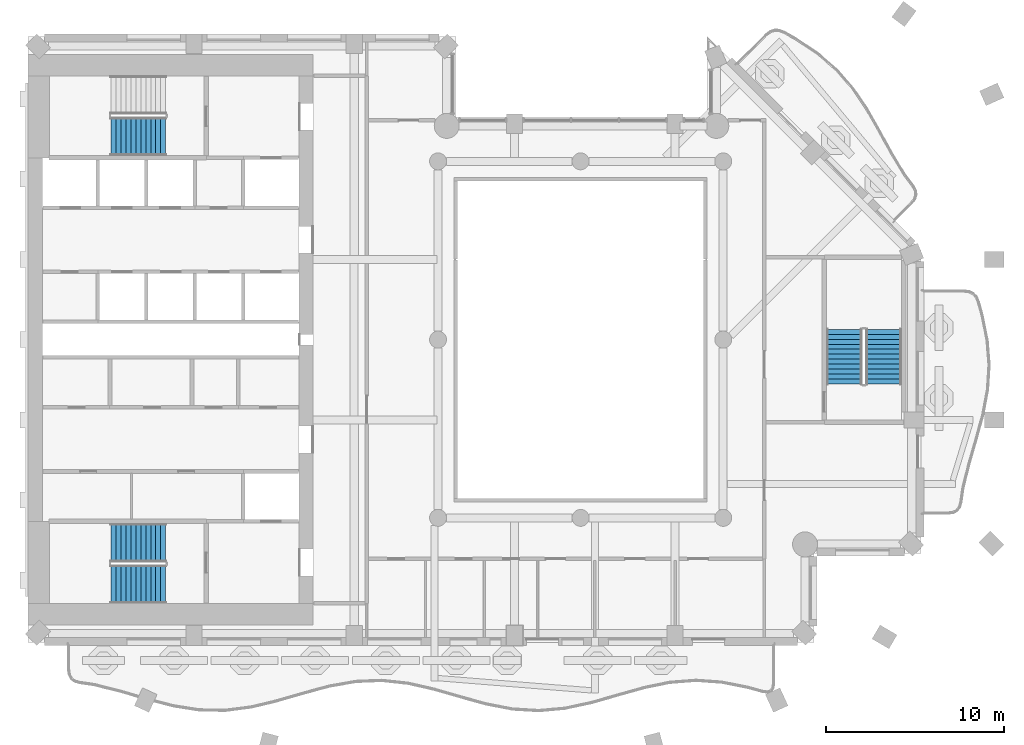
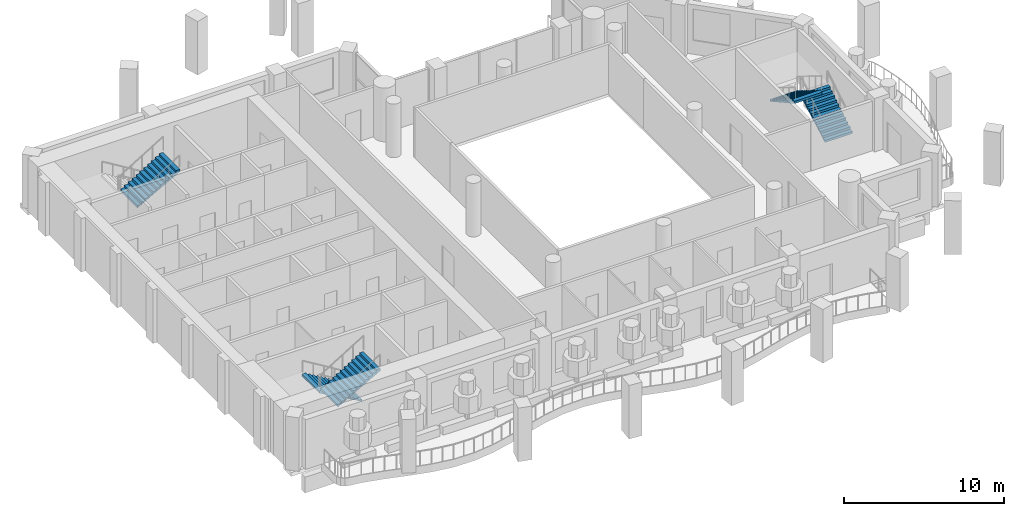
# One storey, part 8 of 15: 5 stair flights, 3 elements without a shape of their own.
"""IFC4 building model written with IfcOpenShell, lengths in metres."""

from ifc_helpers import new_model, si_unit, direction, frame, origin, place, context, subcontext, project, spatial, triangles, material, type_object, element, aggregate, save


model = new_model("IFC4")

# Units and contexts
model_context = context("Model", 3, precision=1e-05, world=origin(), true_north=direction((0.0, 1.0)))
body_context = subcontext(model_context, "Body", "Model", "MODEL_VIEW")
ifc_project = project(units=[si_unit("LENGTHUNIT", "METRE"), si_unit("AREAUNIT", "SQUARE_METRE"), si_unit("VOLUMEUNIT", "CUBIC_METRE"), si_unit("PLANEANGLEUNIT", "RADIAN"), si_unit("MASSUNIT", "GRAM", prefix="KILO")], contexts=[model_context])

# Site, building, storey
site_placement = place(None, origin())
site = spatial("IfcSite", under=ifc_project, at=site_placement, CompositionType="ELEMENT")
building_placement = place(site_placement, origin())
building = spatial("IfcBuilding", under=site, at=building_placement, Name="Cypress Arch Tower", CompositionType="ELEMENT")
storey_placement = place(building_placement, frame((0.0, 0.0, 234.300048828125)))
storey = spatial("IfcBuildingStorey", under=building, at=storey_placement, Name="L52", CompositionType="ELEMENT", Elevation=234.300048828125)

# Stair, stair flights
ifc_material_1 = material(Name="Concrete C40/50", Category="concrete")
stair_type_1 = type_object("IfcStairType", Name="Exit stair ES1708-200", PredefinedType="HALF_TURN_STAIR", material=ifc_material_1)
stair_1_placement = place(storey_placement, origin())
stair_1 = element("IfcStair", 1, at=stair_1_placement, inside=storey, type_object=stair_type_1, Name="L52 Exit stair C", PredefinedType="HALF_TURN_STAIR")
ifc_material_2 = material(Name="Concrete C40/50", Category="concrete")
stair_flight_type_1 = type_object("IfcStairFlightType", Name="Exit stair flight ES1708-200", PredefinedType="STRAIGHT", material=ifc_material_2)
stair_flight_1_placement = place(storey_placement, frame((18.0, -2.5, 0.0), z_axis=(0.0, 0.0, 1.0), x_axis=(0.0, 1.0, 0.0)))
stair_flight_1 = element("IfcStairFlight", 2, at=stair_flight_1_placement, type_object=stair_flight_type_1, Name="C flight 1", NumberOfRisers=12, NumberOfTreads=11, PredefinedType="STRAIGHT", RiserHeight=0.170833333, TreadLength=0.28, context=body_context, shape_type="Tessellation", body=[
    triangles([(0.0, -1.0, 0.0), (0.0, -1.0, 0.1708984375), (0.280029296875, -1.0, 0.1708984375), (0.280029296875, -1.0, 0.341552734375), (0.56005859375, -1.0, 0.341552734375), (0.56005859375, -1.0, 0.512451171875), (0.840087890625, -1.0, 0.512451171875), (0.840087890625, -1.0, 0.683349609375), (1.1201171875, -1.0, 0.683349609375), (1.1201171875, -1.0, 0.854248046875), (1.39990234375, -1.0, 0.854248046875), (1.39990234375, -1.0, 1.02490234375), (1.679931640625, -1.0, 1.02490234375), (1.679931640625, -1.0, 1.19580078125), (1.9599609375, -1.0, 1.19580078125), (1.9599609375, -1.0, 1.36669921875), (2.239990234375, -1.0, 1.36669921875), (2.239990234375, -1.0, 1.53759765625), (2.52001953125, -1.0, 1.53759765625), (2.52001953125, -1.0, 1.708251953125), (2.800048828125, -1.0, 1.708251953125), (2.800048828125, -1.0, 1.879150390625), (3.080078125, -1.0, 1.879150390625), (3.080078125, -1.0, 1.70361328125), (3.080078125, 1.0, 1.70361328125), (3.080078125, 1.0, 1.879150390625), (2.800048828125, 1.0, 1.879150390625), (2.800048828125, 1.0, 1.708251953125), (2.52001953125, 1.0, 1.708251953125), (2.52001953125, 1.0, 1.53759765625), (2.239990234375, 1.0, 1.53759765625), (2.239990234375, 1.0, 1.36669921875), (1.9599609375, 1.0, 1.36669921875), (1.9599609375, 1.0, 1.19580078125), (1.679931640625, 1.0, 1.19580078125), (1.679931640625, 1.0, 1.02490234375), (1.39990234375, 1.0, 1.02490234375), (1.39990234375, 1.0, 0.854248046875), (1.1201171875, 1.0, 0.854248046875), (1.1201171875, 1.0, 0.683349609375), (0.840087890625, 1.0, 0.683349609375), (0.840087890625, 1.0, 0.512451171875), (0.56005859375, 1.0, 0.512451171875), (0.56005859375, 1.0, 0.341552734375), (0.280029296875, 1.0, 0.341552734375), (0.280029296875, 1.0, 0.1708984375), (0.0, 1.0, 0.1708984375), (0.0, 1.0, 0.0), (3.080078125, 0.0, 1.879150390625), (3.080078125, 0.0, 1.70361328125), (2.800048828125, 0.0, 1.879150390625), (2.800048828125, 0.0, 1.708251953125), (2.52001953125, 0.0, 1.708251953125), (2.52001953125, 0.0, 1.53759765625), (2.239990234375, 0.0, 1.53759765625), (2.239990234375, 0.0, 1.36669921875), (1.9599609375, 0.0, 1.36669921875), (1.9599609375, 0.0, 1.19580078125), (1.679931640625, 0.0, 1.19580078125), (1.679931640625, 0.0, 1.02490234375), (1.39990234375, 0.0, 1.02490234375), (1.39990234375, 0.0, 0.854248046875), (1.1201171875, 0.0, 0.854248046875), (1.1201171875, 0.0, 0.683349609375), (0.840087890625, 0.0, 0.683349609375), (0.840087890625, 0.0, 0.512451171875), (0.56005859375, 0.0, 0.512451171875), (0.56005859375, 0.0, 0.341552734375), (0.280029296875, 0.0, 0.341552734375), (0.280029296875, 0.0, 0.1708984375), (0.0, 0.0, 0.1708984375), (0.0, 0.0, 0.0)], [[24, 23, 22], [11, 10, 9], [19, 18, 17], [17, 16, 15], [15, 14, 13], [9, 8, 7], [7, 6, 5], [3, 2, 1], [21, 20, 19], [13, 12, 11], [5, 4, 3], [24, 22, 21], [24, 21, 19], [24, 19, 17], [24, 17, 15], [24, 15, 13], [24, 13, 11], [24, 11, 9], [24, 9, 7], [24, 7, 5], [1, 24, 5], [5, 3, 1], [25, 27, 26], [38, 40, 39], [30, 32, 31], [32, 34, 33], [34, 36, 35], [40, 42, 41], [42, 44, 43], [46, 48, 47], [28, 30, 29], [36, 38, 37], [44, 46, 45], [25, 28, 27], [25, 30, 28], [25, 32, 30], [25, 34, 32], [25, 36, 34], [25, 38, 36], [25, 40, 38], [25, 42, 40], [25, 44, 42], [48, 44, 25], [44, 48, 46], [50, 49, 23], [50, 23, 24], [25, 26, 49], [25, 49, 50], [49, 51, 22], [49, 22, 23], [26, 27, 51], [26, 51, 49], [51, 52, 21], [51, 21, 22], [27, 28, 52], [27, 52, 51], [52, 53, 20], [52, 20, 21], [28, 29, 53], [28, 53, 52], [53, 54, 19], [53, 19, 20], [29, 30, 54], [29, 54, 53], [54, 55, 18], [54, 18, 19], [30, 31, 55], [30, 55, 54], [55, 56, 17], [55, 17, 18], [31, 32, 56], [31, 56, 55], [56, 57, 16], [56, 16, 17], [32, 33, 57], [32, 57, 56], [57, 58, 15], [57, 15, 16], [33, 34, 58], [33, 58, 57], [58, 59, 14], [58, 14, 15], [34, 35, 59], [34, 59, 58], [59, 60, 13], [59, 13, 14], [35, 36, 60], [35, 60, 59], [60, 61, 12], [60, 12, 13], [36, 37, 61], [36, 61, 60], [61, 62, 11], [61, 11, 12], [37, 38, 62], [37, 62, 61], [62, 63, 10], [62, 10, 11], [38, 39, 63], [38, 63, 62], [63, 64, 9], [63, 9, 10], [39, 40, 64], [39, 64, 63], [64, 65, 8], [64, 8, 9], [40, 41, 65], [40, 65, 64], [65, 66, 7], [65, 7, 8], [41, 42, 66], [41, 66, 65], [66, 67, 6], [66, 6, 7], [42, 43, 67], [42, 67, 66], [67, 68, 5], [67, 5, 6], [43, 44, 68], [43, 68, 67], [68, 69, 4], [68, 4, 5], [44, 45, 69], [44, 69, 68], [69, 70, 3], [69, 3, 4], [45, 46, 70], [45, 70, 69], [70, 71, 2], [70, 2, 3], [46, 47, 71], [46, 71, 70], [71, 72, 1], [71, 1, 2], [47, 48, 72], [47, 72, 71], [72, 50, 24], [72, 24, 1], [48, 25, 50], [48, 50, 72]], closed=True),
])
stair_flight_2_placement = place(storey_placement, frame((15.800048828125, 0.580078125, 2.050048828125), z_axis=(0.0, 0.0, 1.0), x_axis=(0.0, -1.0, 0.0)))
stair_flight_2 = element("IfcStairFlight", 3, at=stair_flight_2_placement, type_object=stair_flight_type_1, Name="C flight 2", NumberOfRisers=12, NumberOfTreads=11, PredefinedType="STRAIGHT", RiserHeight=0.170833333, TreadLength=0.28, context=body_context, shape_type="Tessellation", body=[
    triangles([(0.0, -1.0, 0.0), (0.0, -1.0, 0.1708984375), (0.280029296875, -1.0, 0.1708984375), (0.280029296875, -1.0, 0.341552734375), (0.56005859375, -1.0, 0.341552734375), (0.56005859375, -1.0, 0.512451171875), (0.840087890625, -1.0, 0.512451171875), (0.840087890625, -1.0, 0.683349609375), (1.1201171875, -1.0, 0.683349609375), (1.1201171875, -1.0, 0.854248046875), (1.39990234375, -1.0, 0.854248046875), (1.39990234375, -1.0, 1.02490234375), (1.679931640625, -1.0, 1.02490234375), (1.679931640625, -1.0, 1.19580078125), (1.9599609375, -1.0, 1.19580078125), (1.9599609375, -1.0, 1.36669921875), (2.239990234375, -1.0, 1.36669921875), (2.239990234375, -1.0, 1.53759765625), (2.52001953125, -1.0, 1.53759765625), (2.52001953125, -1.0, 1.708251953125), (2.800048828125, -1.0, 1.708251953125), (2.800048828125, -1.0, 1.879150390625), (3.080078125, -1.0, 1.879150390625), (3.080078125, -1.0, 1.70361328125), (3.080078125, 1.0, 1.70361328125), (3.080078125, 1.0, 1.879150390625), (2.800048828125, 1.0, 1.879150390625), (2.800048828125, 1.0, 1.708251953125), (2.52001953125, 1.0, 1.708251953125), (2.52001953125, 1.0, 1.53759765625), (2.239990234375, 1.0, 1.53759765625), (2.239990234375, 1.0, 1.36669921875), (1.9599609375, 1.0, 1.36669921875), (1.9599609375, 1.0, 1.19580078125), (1.679931640625, 1.0, 1.19580078125), (1.679931640625, 1.0, 1.02490234375), (1.39990234375, 1.0, 1.02490234375), (1.39990234375, 1.0, 0.854248046875), (1.1201171875, 1.0, 0.854248046875), (1.1201171875, 1.0, 0.683349609375), (0.840087890625, 1.0, 0.683349609375), (0.840087890625, 1.0, 0.512451171875), (0.56005859375, 1.0, 0.512451171875), (0.56005859375, 1.0, 0.341552734375), (0.280029296875, 1.0, 0.341552734375), (0.280029296875, 1.0, 0.1708984375), (0.0, 1.0, 0.1708984375), (0.0, 1.0, 0.0), (3.080078125, 0.0, 1.879150390625), (3.080078125, 0.0, 1.70361328125), (2.800048828125, 0.0, 1.879150390625), (2.800048828125, 0.0, 1.708251953125), (2.52001953125, 0.0, 1.708251953125), (2.52001953125, 0.0, 1.53759765625), (2.239990234375, 0.0, 1.53759765625), (2.239990234375, 0.0, 1.36669921875), (1.9599609375, 0.0, 1.36669921875), (1.9599609375, 0.0, 1.19580078125), (1.679931640625, 0.0, 1.19580078125), (1.679931640625, 0.0, 1.02490234375), (1.39990234375, 0.0, 1.02490234375), (1.39990234375, 0.0, 0.854248046875), (1.1201171875, 0.0, 0.854248046875), (1.1201171875, 0.0, 0.683349609375), (0.840087890625, 0.0, 0.683349609375), (0.840087890625, 0.0, 0.512451171875), (0.56005859375, 0.0, 0.512451171875), (0.56005859375, 0.0, 0.341552734375), (0.280029296875, 0.0, 0.341552734375), (0.280029296875, 0.0, 0.1708984375), (0.0, 0.0, 0.1708984375), (0.0, 0.0, 0.0)], [[24, 23, 22], [11, 10, 9], [19, 18, 17], [17, 16, 15], [15, 14, 13], [9, 8, 7], [7, 6, 5], [3, 2, 1], [21, 20, 19], [13, 12, 11], [5, 4, 3], [24, 22, 21], [24, 21, 19], [24, 19, 17], [24, 17, 15], [24, 15, 13], [24, 13, 11], [24, 11, 9], [24, 9, 7], [24, 7, 5], [1, 24, 5], [5, 3, 1], [25, 27, 26], [38, 40, 39], [30, 32, 31], [32, 34, 33], [34, 36, 35], [40, 42, 41], [42, 44, 43], [46, 48, 47], [28, 30, 29], [36, 38, 37], [44, 46, 45], [25, 28, 27], [25, 30, 28], [25, 32, 30], [25, 34, 32], [25, 36, 34], [25, 38, 36], [25, 40, 38], [25, 42, 40], [25, 44, 42], [48, 44, 25], [44, 48, 46], [50, 49, 23], [50, 23, 24], [25, 26, 49], [25, 49, 50], [49, 51, 22], [49, 22, 23], [26, 27, 51], [26, 51, 49], [51, 52, 21], [51, 21, 22], [27, 28, 52], [27, 52, 51], [52, 53, 20], [52, 20, 21], [28, 29, 53], [28, 53, 52], [53, 54, 19], [53, 19, 20], [29, 30, 54], [29, 54, 53], [54, 55, 18], [54, 18, 19], [30, 31, 55], [30, 55, 54], [55, 56, 17], [55, 17, 18], [31, 32, 56], [31, 56, 55], [56, 57, 16], [56, 16, 17], [32, 33, 57], [32, 57, 56], [57, 58, 15], [57, 15, 16], [33, 34, 58], [33, 58, 57], [58, 59, 14], [58, 14, 15], [34, 35, 59], [34, 59, 58], [59, 60, 13], [59, 13, 14], [35, 36, 60], [35, 60, 59], [60, 61, 12], [60, 12, 13], [36, 37, 61], [36, 61, 60], [61, 62, 11], [61, 11, 12], [37, 38, 62], [37, 62, 61], [62, 63, 10], [62, 10, 11], [38, 39, 63], [38, 63, 62], [63, 64, 9], [63, 9, 10], [39, 40, 64], [39, 64, 63], [64, 65, 8], [64, 8, 9], [40, 41, 65], [40, 65, 64], [65, 66, 7], [65, 7, 8], [41, 42, 66], [41, 66, 65], [66, 67, 6], [66, 6, 7], [42, 43, 67], [42, 67, 66], [67, 68, 5], [67, 5, 6], [43, 44, 68], [43, 68, 67], [68, 69, 4], [68, 4, 5], [44, 45, 69], [44, 69, 68], [69, 70, 3], [69, 3, 4], [45, 46, 70], [45, 70, 69], [70, 71, 2], [70, 2, 3], [46, 47, 71], [46, 71, 70], [71, 72, 1], [71, 1, 2], [47, 48, 72], [47, 72, 71], [72, 50, 24], [72, 24, 1], [48, 25, 50], [48, 50, 72]], closed=True),
])
aggregate(stair_1, [stair_flight_1, stair_flight_2])

ifc_material_3 = material(Name="Concrete C40/50", Category="concrete")
stair_type_2 = type_object("IfcStairType", Name="Exit stair ES1708-215", PredefinedType="HALF_TURN_STAIR", material=ifc_material_3)
stair_2_placement = place(storey_placement, origin())
stair_2 = element("IfcStair", 4, at=stair_2_placement, inside=storey, type_object=stair_type_2, Name="L52 Exit stair A", PredefinedType="HALF_TURN_STAIR")
ifc_material_4 = material(Name="Concrete C40/50", Category="concrete")
stair_flight_type_2 = type_object("IfcStairFlightType", Name="Exit stair flight ES1708-215", PredefinedType="STRAIGHT", material=ifc_material_4)
stair_flight_3_placement = place(storey_placement, frame((-22.27490234375, -11.39990234375, 0.0), z_axis=(0.0, 0.0, 1.0), x_axis=(-1.0, 0.0, 0.0)))
stair_flight_3 = element("IfcStairFlight", 5, at=stair_flight_3_placement, type_object=stair_flight_type_2, Name="A flight 1", NumberOfRisers=12, NumberOfTreads=11, PredefinedType="STRAIGHT", RiserHeight=0.170833333, TreadLength=0.28, context=body_context, shape_type="Tessellation", body=[
    triangles([(0.0, -1.074951171875, 0.0), (0.000244140625, -1.074951171875, 0.01904296875), (0.000244140625, -1.074951171875, 0.0380859375), (0.00048828125, -1.074951171875, 0.056884765625), (0.00048828125, -1.074951171875, 0.075927734375), (0.00048828125, -1.074951171875, 0.094970703125), (0.00048828125, -1.074951171875, 0.114013671875), (0.000244140625, -1.074951171875, 0.1328125), (0.000244140625, -1.074951171875, 0.15185546875), (0.0, -1.074951171875, 0.1708984375), (0.280029296875, -1.074951171875, 0.1708984375), (0.280029296875, -1.074951171875, 0.341552734375), (0.56005859375, -1.074951171875, 0.341552734375), (0.56005859375, -1.074951171875, 0.512451171875), (0.840087890625, -1.074951171875, 0.512451171875), (0.840087890625, -1.074951171875, 0.683349609375), (1.1201171875, -1.074951171875, 0.683349609375), (1.1201171875, -1.074951171875, 0.854248046875), (1.39990234375, -1.074951171875, 0.854248046875), (1.39990234375, -1.074951171875, 1.02490234375), (1.679931640625, -1.074951171875, 1.02490234375), (1.679931640625, -1.074951171875, 1.19580078125), (1.9599609375, -1.074951171875, 1.19580078125), (1.9599609375, -1.074951171875, 1.36669921875), (2.239990234375, -1.074951171875, 1.36669921875), (2.239990234375, -1.074951171875, 1.53759765625), (2.52001953125, -1.074951171875, 1.53759765625), (2.52001953125, -1.074951171875, 1.708251953125), (2.800048828125, -1.074951171875, 1.708251953125), (2.800048828125, -1.074951171875, 1.879150390625), (3.080078125, -1.074951171875, 1.879150390625), (3.079833984375, -1.074951171875, 1.859619140625), (3.079833984375, -1.074951171875, 1.840087890625), (3.07958984375, -1.074951171875, 1.820556640625), (3.07958984375, -1.074951171875, 1.801025390625), (3.07958984375, -1.074951171875, 1.78173828125), (3.07958984375, -1.074951171875, 1.76220703125), (3.079833984375, -1.074951171875, 1.74267578125), (3.079833984375, -1.074951171875, 1.72314453125), (3.080078125, -1.074951171875, 1.70361328125), (3.080078125, 1.074951171875, 1.70361328125), (3.079833984375, 1.074951171875, 1.72314453125), (3.079833984375, 1.074951171875, 1.74267578125), (3.07958984375, 1.074951171875, 1.76220703125), (3.07958984375, 1.074951171875, 1.78173828125), (3.07958984375, 1.074951171875, 1.801025390625), (3.07958984375, 1.074951171875, 1.820556640625), (3.079833984375, 1.074951171875, 1.840087890625), (3.079833984375, 1.074951171875, 1.859619140625), (3.080078125, 1.074951171875, 1.879150390625), (2.800048828125, 1.074951171875, 1.879150390625), (2.800048828125, 1.074951171875, 1.708251953125), (2.52001953125, 1.074951171875, 1.708251953125), (2.52001953125, 1.074951171875, 1.53759765625), (2.239990234375, 1.074951171875, 1.53759765625), (2.239990234375, 1.074951171875, 1.36669921875), (1.9599609375, 1.074951171875, 1.36669921875), (1.9599609375, 1.074951171875, 1.19580078125), (1.679931640625, 1.074951171875, 1.19580078125), (1.679931640625, 1.074951171875, 1.02490234375), (1.39990234375, 1.074951171875, 1.02490234375), (1.39990234375, 1.074951171875, 0.854248046875), (1.1201171875, 1.074951171875, 0.854248046875), (1.1201171875, 1.074951171875, 0.683349609375), (0.840087890625, 1.074951171875, 0.683349609375), (0.840087890625, 1.074951171875, 0.512451171875), (0.56005859375, 1.074951171875, 0.512451171875), (0.56005859375, 1.074951171875, 0.341552734375), (0.280029296875, 1.074951171875, 0.341552734375), (0.280029296875, 1.074951171875, 0.1708984375), (0.0, 1.074951171875, 0.1708984375), (0.000244140625, 1.074951171875, 0.15185546875), (0.000244140625, 1.074951171875, 0.1328125), (0.00048828125, 1.074951171875, 0.114013671875), (0.00048828125, 1.074951171875, 0.094970703125), (0.00048828125, 1.074951171875, 0.075927734375), (0.00048828125, 1.074951171875, 0.056884765625), (0.000244140625, 1.074951171875, 0.0380859375), (0.000244140625, 1.074951171875, 0.01904296875), (0.0, 1.074951171875, 0.0)], [[40, 39, 30], [39, 38, 30], [38, 37, 30], [37, 36, 30], [36, 35, 30], [35, 34, 30], [34, 33, 30], [33, 32, 30], [32, 31, 30], [19, 18, 17], [27, 26, 25], [25, 24, 23], [23, 22, 21], [17, 16, 15], [15, 14, 13], [10, 9, 11], [9, 8, 11], [8, 7, 11], [7, 6, 11], [6, 5, 11], [5, 4, 11], [4, 3, 11], [3, 2, 11], [2, 1, 11], [29, 28, 27], [21, 20, 19], [13, 12, 11], [40, 30, 29], [40, 29, 27], [40, 27, 25], [40, 25, 23], [40, 23, 21], [40, 21, 19], [40, 19, 17], [40, 17, 15], [40, 15, 13], [1, 40, 13], [13, 11, 1], [41, 51, 42], [42, 51, 43], [43, 51, 44], [44, 51, 45], [45, 51, 46], [46, 51, 47], [47, 51, 48], [48, 51, 49], [49, 51, 50], [62, 64, 63], [54, 56, 55], [56, 58, 57], [58, 60, 59], [64, 66, 65], [66, 68, 67], [71, 70, 72], [72, 70, 73], [73, 70, 74], [74, 70, 75], [75, 70, 76], [76, 70, 77], [77, 70, 78], [78, 70, 79], [79, 70, 80], [52, 54, 53], [60, 62, 61], [68, 70, 69], [41, 52, 51], [41, 54, 52], [41, 56, 54], [41, 58, 56], [41, 60, 58], [41, 62, 60], [41, 64, 62], [41, 66, 64], [41, 68, 66], [80, 68, 41], [68, 80, 70], [41, 42, 39], [41, 39, 40], [42, 43, 38], [42, 38, 39], [43, 44, 37], [43, 37, 38], [44, 45, 36], [44, 36, 37], [45, 46, 35], [45, 35, 36], [46, 47, 34], [46, 34, 35], [47, 48, 33], [47, 33, 34], [48, 49, 32], [48, 32, 33], [49, 50, 31], [49, 31, 32], [50, 51, 30], [50, 30, 31], [51, 52, 29], [51, 29, 30], [52, 53, 28], [52, 28, 29], [53, 54, 27], [53, 27, 28], [54, 55, 26], [54, 26, 27], [55, 56, 25], [55, 25, 26], [56, 57, 24], [56, 24, 25], [57, 58, 23], [57, 23, 24], [58, 59, 22], [58, 22, 23], [59, 60, 21], [59, 21, 22], [60, 61, 20], [60, 20, 21], [61, 62, 19], [61, 19, 20], [62, 63, 18], [62, 18, 19], [63, 64, 17], [63, 17, 18], [64, 65, 16], [64, 16, 17], [65, 66, 15], [65, 15, 16], [66, 67, 14], [66, 14, 15], [67, 68, 13], [67, 13, 14], [68, 69, 12], [68, 12, 13], [69, 70, 11], [69, 11, 12], [70, 71, 10], [70, 10, 11], [71, 72, 9], [71, 9, 10], [72, 73, 8], [72, 8, 9], [73, 74, 7], [73, 7, 8], [74, 75, 6], [74, 6, 7], [75, 76, 5], [75, 5, 6], [76, 77, 4], [76, 4, 5], [77, 78, 3], [77, 3, 4], [78, 79, 2], [78, 2, 3], [79, 80, 1], [79, 1, 2], [80, 41, 40], [80, 40, 1]], closed=True),
])
stair_flight_4_placement = place(storey_placement, frame((-25.35498046875, -13.72509765625, 2.050048828125), z_axis=(0.0, 0.0, 1.0), x_axis=(1.0, 0.0, 0.0)))
stair_flight_4 = element("IfcStairFlight", 6, at=stair_flight_4_placement, type_object=stair_flight_type_2, Name="A flight 2", NumberOfRisers=12, NumberOfTreads=11, PredefinedType="STRAIGHT", RiserHeight=0.170833333, TreadLength=0.28, context=body_context, shape_type="Tessellation", body=[
    triangles([(0.0, -1.074951171875, 0.0), (0.000244140625, -1.074951171875, 0.01904296875), (0.000244140625, -1.074951171875, 0.0380859375), (0.00048828125, -1.074951171875, 0.056884765625), (0.00048828125, -1.074951171875, 0.075927734375), (0.00048828125, -1.074951171875, 0.094970703125), (0.00048828125, -1.074951171875, 0.114013671875), (0.000244140625, -1.074951171875, 0.1328125), (0.000244140625, -1.074951171875, 0.15185546875), (0.0, -1.074951171875, 0.1708984375), (0.280029296875, -1.074951171875, 0.1708984375), (0.280029296875, -1.074951171875, 0.341552734375), (0.56005859375, -1.074951171875, 0.341552734375), (0.56005859375, -1.074951171875, 0.512451171875), (0.840087890625, -1.074951171875, 0.512451171875), (0.840087890625, -1.074951171875, 0.683349609375), (1.1201171875, -1.074951171875, 0.683349609375), (1.1201171875, -1.074951171875, 0.854248046875), (1.39990234375, -1.074951171875, 0.854248046875), (1.39990234375, -1.074951171875, 1.02490234375), (1.679931640625, -1.074951171875, 1.02490234375), (1.679931640625, -1.074951171875, 1.19580078125), (1.9599609375, -1.074951171875, 1.19580078125), (1.9599609375, -1.074951171875, 1.36669921875), (2.239990234375, -1.074951171875, 1.36669921875), (2.239990234375, -1.074951171875, 1.53759765625), (2.52001953125, -1.074951171875, 1.53759765625), (2.52001953125, -1.074951171875, 1.708251953125), (2.800048828125, -1.074951171875, 1.708251953125), (2.800048828125, -1.074951171875, 1.879150390625), (3.080078125, -1.074951171875, 1.879150390625), (3.079833984375, -1.074951171875, 1.859619140625), (3.079833984375, -1.074951171875, 1.840087890625), (3.07958984375, -1.074951171875, 1.820556640625), (3.07958984375, -1.074951171875, 1.801025390625), (3.07958984375, -1.074951171875, 1.78173828125), (3.07958984375, -1.074951171875, 1.76220703125), (3.079833984375, -1.074951171875, 1.74267578125), (3.079833984375, -1.074951171875, 1.72314453125), (3.080078125, -1.074951171875, 1.70361328125), (3.080078125, 1.074951171875, 1.70361328125), (3.079833984375, 1.074951171875, 1.72314453125), (3.079833984375, 1.074951171875, 1.74267578125), (3.07958984375, 1.074951171875, 1.76220703125), (3.07958984375, 1.074951171875, 1.78173828125), (3.07958984375, 1.074951171875, 1.801025390625), (3.07958984375, 1.074951171875, 1.820556640625), (3.079833984375, 1.074951171875, 1.840087890625), (3.079833984375, 1.074951171875, 1.859619140625), (3.080078125, 1.074951171875, 1.879150390625), (2.800048828125, 1.074951171875, 1.879150390625), (2.800048828125, 1.074951171875, 1.708251953125), (2.52001953125, 1.074951171875, 1.708251953125), (2.52001953125, 1.074951171875, 1.53759765625), (2.239990234375, 1.074951171875, 1.53759765625), (2.239990234375, 1.074951171875, 1.36669921875), (1.9599609375, 1.074951171875, 1.36669921875), (1.9599609375, 1.074951171875, 1.19580078125), (1.679931640625, 1.074951171875, 1.19580078125), (1.679931640625, 1.074951171875, 1.02490234375), (1.39990234375, 1.074951171875, 1.02490234375), (1.39990234375, 1.074951171875, 0.854248046875), (1.1201171875, 1.074951171875, 0.854248046875), (1.1201171875, 1.074951171875, 0.683349609375), (0.840087890625, 1.074951171875, 0.683349609375), (0.840087890625, 1.074951171875, 0.512451171875), (0.56005859375, 1.074951171875, 0.512451171875), (0.56005859375, 1.074951171875, 0.341552734375), (0.280029296875, 1.074951171875, 0.341552734375), (0.280029296875, 1.074951171875, 0.1708984375), (0.0, 1.074951171875, 0.1708984375), (0.000244140625, 1.074951171875, 0.15185546875), (0.000244140625, 1.074951171875, 0.1328125), (0.00048828125, 1.074951171875, 0.114013671875), (0.00048828125, 1.074951171875, 0.094970703125), (0.00048828125, 1.074951171875, 0.075927734375), (0.00048828125, 1.074951171875, 0.056884765625), (0.000244140625, 1.074951171875, 0.0380859375), (0.000244140625, 1.074951171875, 0.01904296875), (0.0, 1.074951171875, 0.0)], [[40, 39, 30], [39, 38, 30], [38, 37, 30], [37, 36, 30], [36, 35, 30], [35, 34, 30], [34, 33, 30], [33, 32, 30], [32, 31, 30], [19, 18, 17], [27, 26, 25], [25, 24, 23], [23, 22, 21], [17, 16, 15], [15, 14, 13], [10, 9, 11], [9, 8, 11], [8, 7, 11], [7, 6, 11], [6, 5, 11], [5, 4, 11], [4, 3, 11], [3, 2, 11], [2, 1, 11], [29, 28, 27], [21, 20, 19], [13, 12, 11], [40, 30, 29], [40, 29, 27], [40, 27, 25], [40, 25, 23], [40, 23, 21], [40, 21, 19], [40, 19, 17], [40, 17, 15], [40, 15, 13], [1, 40, 13], [13, 11, 1], [41, 51, 42], [42, 51, 43], [43, 51, 44], [44, 51, 45], [45, 51, 46], [46, 51, 47], [47, 51, 48], [48, 51, 49], [49, 51, 50], [62, 64, 63], [54, 56, 55], [56, 58, 57], [58, 60, 59], [64, 66, 65], [66, 68, 67], [71, 70, 72], [72, 70, 73], [73, 70, 74], [74, 70, 75], [75, 70, 76], [76, 70, 77], [77, 70, 78], [78, 70, 79], [79, 70, 80], [52, 54, 53], [60, 62, 61], [68, 70, 69], [41, 52, 51], [41, 54, 52], [41, 56, 54], [41, 58, 56], [41, 60, 58], [41, 62, 60], [41, 64, 62], [41, 66, 64], [41, 68, 66], [80, 68, 41], [68, 80, 70], [41, 42, 39], [41, 39, 40], [42, 43, 38], [42, 38, 39], [43, 44, 37], [43, 37, 38], [44, 45, 36], [44, 36, 37], [45, 46, 35], [45, 35, 36], [46, 47, 34], [46, 34, 35], [47, 48, 33], [47, 33, 34], [48, 49, 32], [48, 32, 33], [49, 50, 31], [49, 31, 32], [50, 51, 30], [50, 30, 31], [51, 52, 29], [51, 29, 30], [52, 53, 28], [52, 28, 29], [53, 54, 27], [53, 27, 28], [54, 55, 26], [54, 26, 27], [55, 56, 25], [55, 25, 26], [56, 57, 24], [56, 24, 25], [57, 58, 23], [57, 23, 24], [58, 59, 22], [58, 22, 23], [59, 60, 21], [59, 21, 22], [60, 61, 20], [60, 20, 21], [61, 62, 19], [61, 19, 20], [62, 63, 18], [62, 18, 19], [63, 64, 17], [63, 17, 18], [64, 65, 16], [64, 16, 17], [65, 66, 15], [65, 15, 16], [66, 67, 14], [66, 14, 15], [67, 68, 13], [67, 13, 14], [68, 69, 12], [68, 12, 13], [69, 70, 11], [69, 11, 12], [70, 71, 10], [70, 10, 11], [71, 72, 9], [71, 9, 10], [72, 73, 8], [72, 8, 9], [73, 74, 7], [73, 7, 8], [74, 75, 6], [74, 6, 7], [75, 76, 5], [75, 5, 6], [76, 77, 4], [76, 4, 5], [77, 78, 3], [77, 3, 4], [78, 79, 2], [78, 2, 3], [79, 80, 1], [79, 1, 2], [80, 41, 40], [80, 40, 1]], closed=True),
])
aggregate(stair_2, [stair_flight_3, stair_flight_4])

# Stair, stair flight
stair_3_placement = place(storey_placement, origin())
stair_3 = element("IfcStair", 7, at=stair_3_placement, inside=storey, type_object=stair_type_2, Name="L52 Exit stair B", PredefinedType="HALF_TURN_STAIR")
stair_flight_5_placement = place(storey_placement, frame((-25.35498046875, 11.39990234375, 2.050048828125), z_axis=(0.0, 0.0, 1.0), x_axis=(1.0, 0.0, 0.0)))
stair_flight_5 = element("IfcStairFlight", 8, at=stair_flight_5_placement, type_object=stair_flight_type_2, Name="B flight 2", NumberOfRisers=12, NumberOfTreads=11, PredefinedType="STRAIGHT", RiserHeight=0.170833333, TreadLength=0.28, context=body_context, shape_type="Tessellation", body=[
    triangles([(0.0, -1.074951171875, 0.0), (0.000244140625, -1.074951171875, 0.01904296875), (0.000244140625, -1.074951171875, 0.0380859375), (0.00048828125, -1.074951171875, 0.056884765625), (0.00048828125, -1.074951171875, 0.075927734375), (0.00048828125, -1.074951171875, 0.094970703125), (0.00048828125, -1.074951171875, 0.114013671875), (0.000244140625, -1.074951171875, 0.1328125), (0.000244140625, -1.074951171875, 0.15185546875), (0.0, -1.074951171875, 0.1708984375), (0.280029296875, -1.074951171875, 0.1708984375), (0.280029296875, -1.074951171875, 0.341552734375), (0.56005859375, -1.074951171875, 0.341552734375), (0.56005859375, -1.074951171875, 0.512451171875), (0.840087890625, -1.074951171875, 0.512451171875), (0.840087890625, -1.074951171875, 0.683349609375), (1.1201171875, -1.074951171875, 0.683349609375), (1.1201171875, -1.074951171875, 0.854248046875), (1.39990234375, -1.074951171875, 0.854248046875), (1.39990234375, -1.074951171875, 1.02490234375), (1.679931640625, -1.074951171875, 1.02490234375), (1.679931640625, -1.074951171875, 1.19580078125), (1.9599609375, -1.074951171875, 1.19580078125), (1.9599609375, -1.074951171875, 1.36669921875), (2.239990234375, -1.074951171875, 1.36669921875), (2.239990234375, -1.074951171875, 1.53759765625), (2.52001953125, -1.074951171875, 1.53759765625), (2.52001953125, -1.074951171875, 1.708251953125), (2.800048828125, -1.074951171875, 1.708251953125), (2.800048828125, -1.074951171875, 1.879150390625), (3.080078125, -1.074951171875, 1.879150390625), (3.079833984375, -1.074951171875, 1.859619140625), (3.079833984375, -1.074951171875, 1.840087890625), (3.07958984375, -1.074951171875, 1.820556640625), (3.07958984375, -1.074951171875, 1.801025390625), (3.07958984375, -1.074951171875, 1.78173828125), (3.07958984375, -1.074951171875, 1.76220703125), (3.079833984375, -1.074951171875, 1.74267578125), (3.079833984375, -1.074951171875, 1.72314453125), (3.080078125, -1.074951171875, 1.70361328125), (3.080078125, 1.074951171875, 1.70361328125), (3.079833984375, 1.074951171875, 1.72314453125), (3.079833984375, 1.074951171875, 1.74267578125), (3.07958984375, 1.074951171875, 1.76220703125), (3.07958984375, 1.074951171875, 1.78173828125), (3.07958984375, 1.074951171875, 1.801025390625), (3.07958984375, 1.074951171875, 1.820556640625), (3.079833984375, 1.074951171875, 1.840087890625), (3.079833984375, 1.074951171875, 1.859619140625), (3.080078125, 1.074951171875, 1.879150390625), (2.800048828125, 1.074951171875, 1.879150390625), (2.800048828125, 1.074951171875, 1.708251953125), (2.52001953125, 1.074951171875, 1.708251953125), (2.52001953125, 1.074951171875, 1.53759765625), (2.239990234375, 1.074951171875, 1.53759765625), (2.239990234375, 1.074951171875, 1.36669921875), (1.9599609375, 1.074951171875, 1.36669921875), (1.9599609375, 1.074951171875, 1.19580078125), (1.679931640625, 1.074951171875, 1.19580078125), (1.679931640625, 1.074951171875, 1.02490234375), (1.39990234375, 1.074951171875, 1.02490234375), (1.39990234375, 1.074951171875, 0.854248046875), (1.1201171875, 1.074951171875, 0.854248046875), (1.1201171875, 1.074951171875, 0.683349609375), (0.840087890625, 1.074951171875, 0.683349609375), (0.840087890625, 1.074951171875, 0.512451171875), (0.56005859375, 1.074951171875, 0.512451171875), (0.56005859375, 1.074951171875, 0.341552734375), (0.280029296875, 1.074951171875, 0.341552734375), (0.280029296875, 1.074951171875, 0.1708984375), (0.0, 1.074951171875, 0.1708984375), (0.000244140625, 1.074951171875, 0.15185546875), (0.000244140625, 1.074951171875, 0.1328125), (0.00048828125, 1.074951171875, 0.114013671875), (0.00048828125, 1.074951171875, 0.094970703125), (0.00048828125, 1.074951171875, 0.075927734375), (0.00048828125, 1.074951171875, 0.056884765625), (0.000244140625, 1.074951171875, 0.0380859375), (0.000244140625, 1.074951171875, 0.01904296875), (0.0, 1.074951171875, 0.0)], [[40, 39, 30], [39, 38, 30], [38, 37, 30], [37, 36, 30], [36, 35, 30], [35, 34, 30], [34, 33, 30], [33, 32, 30], [32, 31, 30], [19, 18, 17], [27, 26, 25], [25, 24, 23], [23, 22, 21], [17, 16, 15], [15, 14, 13], [10, 9, 11], [9, 8, 11], [8, 7, 11], [7, 6, 11], [6, 5, 11], [5, 4, 11], [4, 3, 11], [3, 2, 11], [2, 1, 11], [29, 28, 27], [21, 20, 19], [13, 12, 11], [40, 30, 29], [40, 29, 27], [40, 27, 25], [40, 25, 23], [40, 23, 21], [40, 21, 19], [40, 19, 17], [40, 17, 15], [40, 15, 13], [1, 40, 13], [13, 11, 1], [41, 51, 42], [42, 51, 43], [43, 51, 44], [44, 51, 45], [45, 51, 46], [46, 51, 47], [47, 51, 48], [48, 51, 49], [49, 51, 50], [62, 64, 63], [54, 56, 55], [56, 58, 57], [58, 60, 59], [64, 66, 65], [66, 68, 67], [71, 70, 72], [72, 70, 73], [73, 70, 74], [74, 70, 75], [75, 70, 76], [76, 70, 77], [77, 70, 78], [78, 70, 79], [79, 70, 80], [52, 54, 53], [60, 62, 61], [68, 70, 69], [41, 52, 51], [41, 54, 52], [41, 56, 54], [41, 58, 56], [41, 60, 58], [41, 62, 60], [41, 64, 62], [41, 66, 64], [41, 68, 66], [80, 68, 41], [68, 80, 70], [41, 42, 39], [41, 39, 40], [42, 43, 38], [42, 38, 39], [43, 44, 37], [43, 37, 38], [44, 45, 36], [44, 36, 37], [45, 46, 35], [45, 35, 36], [46, 47, 34], [46, 34, 35], [47, 48, 33], [47, 33, 34], [48, 49, 32], [48, 32, 33], [49, 50, 31], [49, 31, 32], [50, 51, 30], [50, 30, 31], [51, 52, 29], [51, 29, 30], [52, 53, 28], [52, 28, 29], [53, 54, 27], [53, 27, 28], [54, 55, 26], [54, 26, 27], [55, 56, 25], [55, 25, 26], [56, 57, 24], [56, 24, 25], [57, 58, 23], [57, 23, 24], [58, 59, 22], [58, 22, 23], [59, 60, 21], [59, 21, 22], [60, 61, 20], [60, 20, 21], [61, 62, 19], [61, 19, 20], [62, 63, 18], [62, 18, 19], [63, 64, 17], [63, 17, 18], [64, 65, 16], [64, 16, 17], [65, 66, 15], [65, 15, 16], [66, 67, 14], [66, 14, 15], [67, 68, 13], [67, 13, 14], [68, 69, 12], [68, 12, 13], [69, 70, 11], [69, 11, 12], [70, 71, 10], [70, 10, 11], [71, 72, 9], [71, 9, 10], [72, 73, 8], [72, 8, 9], [73, 74, 7], [73, 7, 8], [74, 75, 6], [74, 6, 7], [75, 76, 5], [75, 5, 6], [76, 77, 4], [76, 4, 5], [77, 78, 3], [77, 3, 4], [78, 79, 2], [78, 2, 3], [79, 80, 1], [79, 1, 2], [80, 41, 40], [80, 40, 1]], closed=True),
])
aggregate(stair_3, [stair_flight_5])

save(model, "model.ifc")
